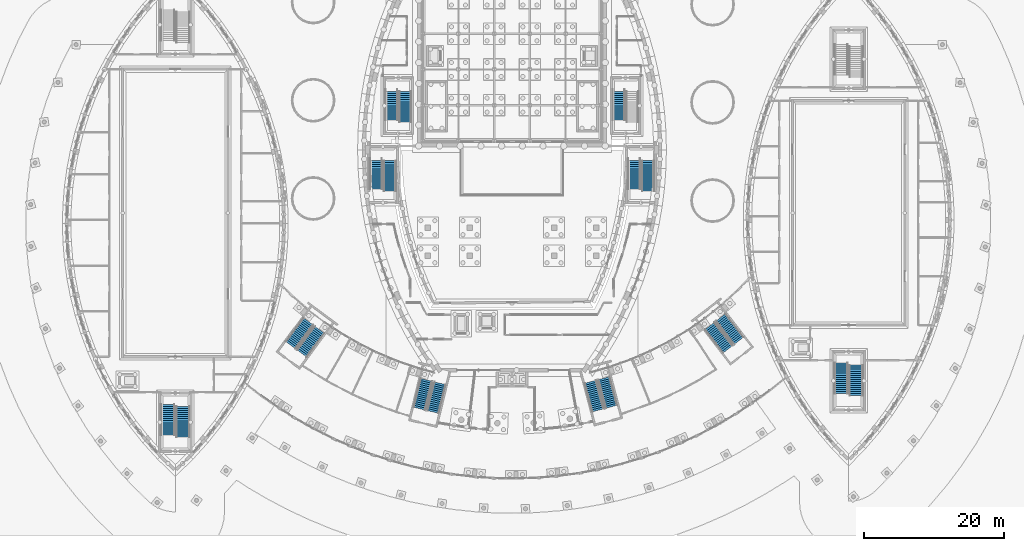
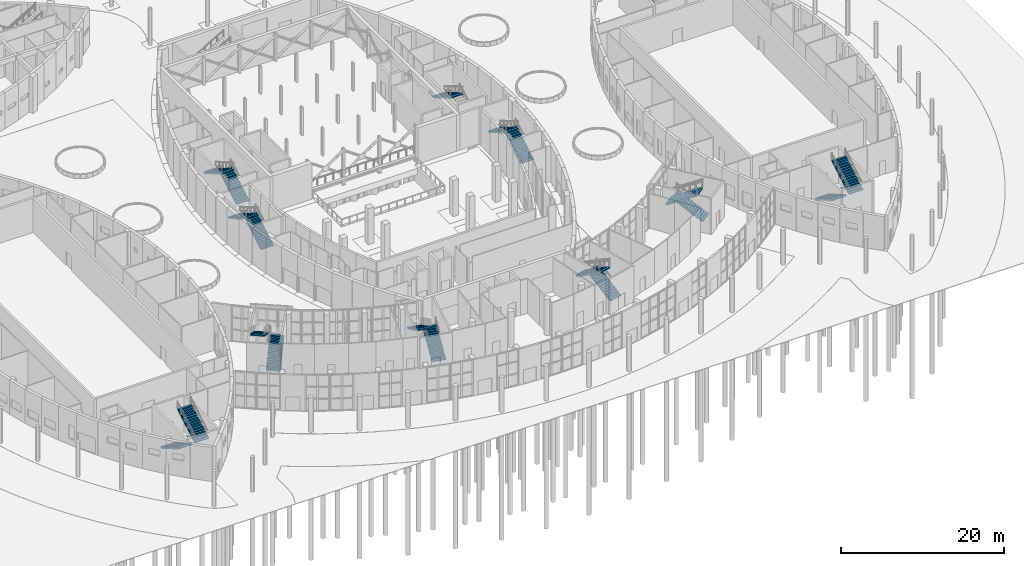
# One storey, part 69 of 82: 19 stair flights, 10 elements without a shape of their own.
"""IFC4 building model written with IfcOpenShell, lengths in metres."""

from ifc_helpers import new_model, si_unit, direction, frame, origin, place, context, subcontext, project, spatial, polyline, outline, extrude, material, type_object, element, aggregate, save


model = new_model("IFC4")

# Units and contexts
model_context = context("Model", 3, precision=1e-05, world=origin(), true_north=direction((0.0, 1.0)))
body_context = subcontext(model_context, "Body", "Model", "MODEL_VIEW")
ifc_project = project(units=[si_unit("LENGTHUNIT", "METRE"), si_unit("AREAUNIT", "SQUARE_METRE"), si_unit("VOLUMEUNIT", "CUBIC_METRE"), si_unit("PLANEANGLEUNIT", "RADIAN"), si_unit("MASSUNIT", "GRAM", prefix="KILO")], contexts=[model_context])

# Site, building, storey
site_placement = place(None, origin())
site = spatial("IfcSite", under=ifc_project, at=site_placement, CompositionType="ELEMENT")
building_placement = place(site_placement, origin())
building = spatial("IfcBuilding", under=site, at=building_placement, Name="Tide Square Theatres", CompositionType="ELEMENT")
storey_placement = place(building_placement, origin())
storey = spatial("IfcBuildingStorey", under=building, at=storey_placement, Name="L00", CompositionType="ELEMENT", Elevation=0.0)

# Stair, stair flights
ifc_material_1 = material(Name="Concrete C35", Category="concrete")
stair_type_1 = type_object("IfcStairType", Name="Stair half turn 1800 wide, 32 risers, rise 5400", PredefinedType="HALF_TURN_STAIR", material=ifc_material_1)
stair_1_placement = place(storey_placement, origin())
stair_1 = element("IfcStair", 1, at=stair_1_placement, inside=storey, type_object=stair_type_1, Name="Main Theatre West Stair", PredefinedType="HALF_TURN_STAIR")
ifc_material_2 = material(Name="Concrete C35", Category="concrete")
stair_flight_type_1 = type_object("IfcStairFlightType", Name="Flight 1800 wide 16 risers rise 5400", PredefinedType="STRAIGHT", material=ifc_material_2)
stair_flight_1_placement = place(storey_placement, frame((68.800048828125, 58.949951171875, 0.0), z_axis=(0.0, 0.0, 1.0), x_axis=(0.0, 1.0, 0.0)))
stair_flight_1 = element("IfcStairFlight", 2, at=stair_flight_1_placement, type_object=stair_flight_type_1, Name="ST-1800-5400 flight 1", NumberOfRisers=16, NumberOfTreads=15, PredefinedType="STRAIGHT", RiserHeight=0.16875, TreadLength=0.29, context=body_context, shape_type="SweptSolid", body=[
    extrude(outline(polyline([(0.0, 0.0), (0.0, 0.168701171875), (0.2900390625, 0.168701171875), (0.2900390625, 0.33740234375), (0.580078125, 0.33740234375), (0.580078125, 0.50634765625), (0.8701171875, 0.50634765625), (0.8701171875, 0.675048828125), (1.159912109375, 0.675048828125), (1.159912109375, 0.84375), (1.449951171875, 0.84375), (1.449951171875, 1.012451171875), (1.739990234375, 1.012451171875), (1.739990234375, 1.18115234375), (2.030029296875, 1.18115234375), (2.030029296875, 1.35009765625), (2.320068359375, 1.35009765625), (2.320068359375, 1.518798828125), (2.610107421875, 1.518798828125), (2.610107421875, 1.6875), (2.89990234375, 1.6875), (2.89990234375, 1.856201171875), (3.18994140625, 1.856201171875), (3.18994140625, 2.02490234375), (3.47998046875, 2.02490234375), (3.47998046875, 2.19384765625), (3.77001953125, 2.19384765625), (3.77001953125, 2.362548828125), (4.06005859375, 2.362548828125), (4.06005859375, 2.53125), (4.35009765625, 2.53125), (4.35009765625, 2.699951171875), (4.35009765625, 2.35791015625), (0.298095703125, 0.0), (0.0, 0.0)])), frame((0.0, 0.89990234375, 0.0), z_axis=(0.0, -1.0, 0.0), x_axis=(1.0, 0.0, 0.0)), (0.0, 0.0, 1.0), 1.800048828125),
])
stair_flight_2_placement = place(storey_placement, frame((66.800048828125, 63.59814453125, 2.699951171875), z_axis=(0.0, 0.0, 1.0), x_axis=(0.0, -1.0, 0.0)))
stair_flight_2 = element("IfcStairFlight", 3, at=stair_flight_2_placement, type_object=stair_flight_type_1, Name="ST-1800-5400 flight 2", NumberOfRisers=16, NumberOfTreads=15, PredefinedType="STRAIGHT", RiserHeight=0.16875, TreadLength=0.29, context=body_context, shape_type="SweptSolid", body=[
    extrude(outline(polyline([(0.0, 0.0), (0.0, 0.168701171875), (0.2900390625, 0.168701171875), (0.2900390625, 0.33740234375), (0.580078125, 0.33740234375), (0.580078125, 0.50634765625), (0.8701171875, 0.50634765625), (0.8701171875, 0.675048828125), (1.159912109375, 0.675048828125), (1.159912109375, 0.84375), (1.449951171875, 0.84375), (1.449951171875, 1.012451171875), (1.739990234375, 1.012451171875), (1.739990234375, 1.18115234375), (2.030029296875, 1.18115234375), (2.030029296875, 1.35009765625), (2.320068359375, 1.35009765625), (2.320068359375, 1.518798828125), (2.610107421875, 1.518798828125), (2.610107421875, 1.6875), (2.89990234375, 1.6875), (2.89990234375, 1.856201171875), (3.18994140625, 1.856201171875), (3.18994140625, 2.02490234375), (3.47998046875, 2.02490234375), (3.47998046875, 2.19384765625), (3.77001953125, 2.19384765625), (3.77001953125, 2.362548828125), (4.06005859375, 2.362548828125), (4.06005859375, 2.53125), (4.35009765625, 2.53125), (4.35009765625, 2.699951171875), (4.35009765625, 2.35791015625), (0.298095703125, 0.0), (0.0, 0.0)])), frame((0.0, 0.89990234375, 0.0), z_axis=(0.0, -1.0, 0.0), x_axis=(1.0, 0.0, 0.0)), (0.0, 0.0, 1.0), 1.800048828125),
])
aggregate(stair_1, [stair_flight_1, stair_flight_2])

# Stair, stair flight
stair_2_placement = place(storey_placement, origin())
stair_2 = element("IfcStair", 4, at=stair_2_placement, inside=storey, type_object=stair_type_1, Name="Main Theatre East Stair", PredefinedType="HALF_TURN_STAIR")
stair_flight_3_placement = place(storey_placement, frame((99.199951171875, 63.59814453125, 2.699951171875), z_axis=(0.0, 0.0, 1.0), x_axis=(0.0, -1.0, 0.0)))
stair_flight_3 = element("IfcStairFlight", 5, at=stair_flight_3_placement, type_object=stair_flight_type_1, Name="ST-1800-5400 flight 2", NumberOfRisers=16, NumberOfTreads=15, PredefinedType="STRAIGHT", RiserHeight=0.16875, TreadLength=0.29, context=body_context, shape_type="SweptSolid", body=[
    extrude(outline(polyline([(0.0, 0.0), (0.0, 0.168701171875), (0.2900390625, 0.168701171875), (0.2900390625, 0.33740234375), (0.580078125, 0.33740234375), (0.580078125, 0.50634765625), (0.8701171875, 0.50634765625), (0.8701171875, 0.675048828125), (1.159912109375, 0.675048828125), (1.159912109375, 0.84375), (1.449951171875, 0.84375), (1.449951171875, 1.012451171875), (1.739990234375, 1.012451171875), (1.739990234375, 1.18115234375), (2.030029296875, 1.18115234375), (2.030029296875, 1.35009765625), (2.320068359375, 1.35009765625), (2.320068359375, 1.518798828125), (2.610107421875, 1.518798828125), (2.610107421875, 1.6875), (2.89990234375, 1.6875), (2.89990234375, 1.856201171875), (3.18994140625, 1.856201171875), (3.18994140625, 2.02490234375), (3.47998046875, 2.02490234375), (3.47998046875, 2.19384765625), (3.77001953125, 2.19384765625), (3.77001953125, 2.362548828125), (4.06005859375, 2.362548828125), (4.06005859375, 2.53125), (4.35009765625, 2.53125), (4.35009765625, 2.699951171875), (4.35009765625, 2.35791015625), (0.298095703125, 0.0), (0.0, 0.0)])), frame((0.0, 0.89990234375, 0.0), z_axis=(0.0, -1.0, 0.0), x_axis=(1.0, 0.0, 0.0)), (0.0, 0.0, 1.0), 1.800048828125),
])
aggregate(stair_2, [stair_flight_3])

# Stair, stair flights
stair_3_placement = place(storey_placement, origin())
stair_3 = element("IfcStair", 6, at=stair_3_placement, inside=storey, type_object=stair_type_1, Name="Main Theatre West Circle Stair", PredefinedType="HALF_TURN_STAIR")
stair_flight_4_placement = place(storey_placement, frame((66.60009765625, 49.10009765625, 0.0), z_axis=(0.0, 0.0, 1.0), x_axis=(0.0, 1.0, 0.0)))
stair_flight_4 = element("IfcStairFlight", 7, at=stair_flight_4_placement, type_object=stair_flight_type_1, Name="ST-1800-5400 flight 1", NumberOfRisers=16, NumberOfTreads=15, PredefinedType="STRAIGHT", RiserHeight=0.16875, TreadLength=0.29, context=body_context, shape_type="SweptSolid", body=[
    extrude(outline(polyline([(0.0, 0.0), (0.0, 0.168701171875), (0.2900390625, 0.168701171875), (0.2900390625, 0.33740234375), (0.580078125, 0.33740234375), (0.580078125, 0.50634765625), (0.8701171875, 0.50634765625), (0.8701171875, 0.675048828125), (1.159912109375, 0.675048828125), (1.159912109375, 0.84375), (1.449951171875, 0.84375), (1.449951171875, 1.012451171875), (1.739990234375, 1.012451171875), (1.739990234375, 1.18115234375), (2.030029296875, 1.18115234375), (2.030029296875, 1.35009765625), (2.320068359375, 1.35009765625), (2.320068359375, 1.518798828125), (2.610107421875, 1.518798828125), (2.610107421875, 1.6875), (2.89990234375, 1.6875), (2.89990234375, 1.856201171875), (3.18994140625, 1.856201171875), (3.18994140625, 2.02490234375), (3.47998046875, 2.02490234375), (3.47998046875, 2.19384765625), (3.77001953125, 2.19384765625), (3.77001953125, 2.362548828125), (4.06005859375, 2.362548828125), (4.06005859375, 2.53125), (4.35009765625, 2.53125), (4.35009765625, 2.699951171875), (4.35009765625, 2.35791015625), (0.298095703125, 0.0), (0.0, 0.0)])), frame((0.0, 0.89990234375, 0.0), z_axis=(0.0, -1.0, 0.0), x_axis=(1.0, 0.0, 0.0)), (0.0, 0.0, 1.0), 1.800048828125),
])
stair_flight_5_placement = place(storey_placement, frame((64.60009765625, 53.748291015625, 2.699951171875), z_axis=(0.0, 0.0, 1.0), x_axis=(0.0, -1.0, 0.0)))
stair_flight_5 = element("IfcStairFlight", 8, at=stair_flight_5_placement, type_object=stair_flight_type_1, Name="ST-1800-5400 flight 2", NumberOfRisers=16, NumberOfTreads=15, PredefinedType="STRAIGHT", RiserHeight=0.16875, TreadLength=0.29, context=body_context, shape_type="SweptSolid", body=[
    extrude(outline(polyline([(0.0, 0.0), (0.0, 0.168701171875), (0.2900390625, 0.168701171875), (0.2900390625, 0.33740234375), (0.580078125, 0.33740234375), (0.580078125, 0.50634765625), (0.8701171875, 0.50634765625), (0.8701171875, 0.675048828125), (1.159912109375, 0.675048828125), (1.159912109375, 0.84375), (1.449951171875, 0.84375), (1.449951171875, 1.012451171875), (1.739990234375, 1.012451171875), (1.739990234375, 1.18115234375), (2.030029296875, 1.18115234375), (2.030029296875, 1.35009765625), (2.320068359375, 1.35009765625), (2.320068359375, 1.518798828125), (2.610107421875, 1.518798828125), (2.610107421875, 1.6875), (2.89990234375, 1.6875), (2.89990234375, 1.856201171875), (3.18994140625, 1.856201171875), (3.18994140625, 2.02490234375), (3.47998046875, 2.02490234375), (3.47998046875, 2.19384765625), (3.77001953125, 2.19384765625), (3.77001953125, 2.362548828125), (4.06005859375, 2.362548828125), (4.06005859375, 2.53125), (4.35009765625, 2.53125), (4.35009765625, 2.699951171875), (4.35009765625, 2.35791015625), (0.298095703125, 0.0), (0.0, 0.0)])), frame((0.0, 0.89990234375, 0.0), z_axis=(0.0, -1.0, 0.0), x_axis=(1.0, 0.0, 0.0)), (0.0, 0.0, 1.0), 1.800048828125),
])
aggregate(stair_3, [stair_flight_4, stair_flight_5])

stair_4_placement = place(storey_placement, origin())
stair_4 = element("IfcStair", 9, at=stair_4_placement, inside=storey, type_object=stair_type_1, Name="Main Theatre East Circle Stair", PredefinedType="HALF_TURN_STAIR")
stair_flight_6_placement = place(storey_placement, frame((103.39990234375, 49.10009765625, 0.0), z_axis=(0.0, 0.0, 1.0), x_axis=(0.0, 1.0, 0.0)))
stair_flight_6 = element("IfcStairFlight", 10, at=stair_flight_6_placement, type_object=stair_flight_type_1, Name="ST-1800-5400 flight 1", NumberOfRisers=16, NumberOfTreads=15, PredefinedType="STRAIGHT", RiserHeight=0.16875, TreadLength=0.29, context=body_context, shape_type="SweptSolid", body=[
    extrude(outline(polyline([(0.0, 0.0), (0.0, 0.168701171875), (0.2900390625, 0.168701171875), (0.2900390625, 0.33740234375), (0.580078125, 0.33740234375), (0.580078125, 0.50634765625), (0.8701171875, 0.50634765625), (0.8701171875, 0.675048828125), (1.159912109375, 0.675048828125), (1.159912109375, 0.84375), (1.449951171875, 0.84375), (1.449951171875, 1.012451171875), (1.739990234375, 1.012451171875), (1.739990234375, 1.18115234375), (2.030029296875, 1.18115234375), (2.030029296875, 1.35009765625), (2.320068359375, 1.35009765625), (2.320068359375, 1.518798828125), (2.610107421875, 1.518798828125), (2.610107421875, 1.6875), (2.89990234375, 1.6875), (2.89990234375, 1.856201171875), (3.18994140625, 1.856201171875), (3.18994140625, 2.02490234375), (3.47998046875, 2.02490234375), (3.47998046875, 2.19384765625), (3.77001953125, 2.19384765625), (3.77001953125, 2.362548828125), (4.06005859375, 2.362548828125), (4.06005859375, 2.53125), (4.35009765625, 2.53125), (4.35009765625, 2.699951171875), (4.35009765625, 2.35791015625), (0.298095703125, 0.0), (0.0, 0.0)])), frame((0.0, 0.89990234375, 0.0), z_axis=(0.0, -1.0, 0.0), x_axis=(1.0, 0.0, 0.0)), (0.0, 0.0, 1.0), 1.800048828125),
])
stair_flight_7_placement = place(storey_placement, frame((101.39990234375, 53.748291015625, 2.699951171875), z_axis=(0.0, 0.0, 1.0), x_axis=(0.0, -1.0, 0.0)))
stair_flight_7 = element("IfcStairFlight", 11, at=stair_flight_7_placement, type_object=stair_flight_type_1, Name="ST-1800-5400 flight 2", NumberOfRisers=16, NumberOfTreads=15, PredefinedType="STRAIGHT", RiserHeight=0.16875, TreadLength=0.29, context=body_context, shape_type="SweptSolid", body=[
    extrude(outline(polyline([(0.0, 0.0), (0.0, 0.168701171875), (0.2900390625, 0.168701171875), (0.2900390625, 0.33740234375), (0.580078125, 0.33740234375), (0.580078125, 0.50634765625), (0.8701171875, 0.50634765625), (0.8701171875, 0.675048828125), (1.159912109375, 0.675048828125), (1.159912109375, 0.84375), (1.449951171875, 0.84375), (1.449951171875, 1.012451171875), (1.739990234375, 1.012451171875), (1.739990234375, 1.18115234375), (2.030029296875, 1.18115234375), (2.030029296875, 1.35009765625), (2.320068359375, 1.35009765625), (2.320068359375, 1.518798828125), (2.610107421875, 1.518798828125), (2.610107421875, 1.6875), (2.89990234375, 1.6875), (2.89990234375, 1.856201171875), (3.18994140625, 1.856201171875), (3.18994140625, 2.02490234375), (3.47998046875, 2.02490234375), (3.47998046875, 2.19384765625), (3.77001953125, 2.19384765625), (3.77001953125, 2.362548828125), (4.06005859375, 2.362548828125), (4.06005859375, 2.53125), (4.35009765625, 2.53125), (4.35009765625, 2.699951171875), (4.35009765625, 2.35791015625), (0.298095703125, 0.0), (0.0, 0.0)])), frame((0.0, 0.89990234375, 0.0), z_axis=(0.0, -1.0, 0.0), x_axis=(1.0, 0.0, 0.0)), (0.0, 0.0, 1.0), 1.800048828125),
])
aggregate(stair_4, [stair_flight_6, stair_flight_7])

ifc_material_3 = material(Name="Concrete C35", Category="concrete")
stair_type_2 = type_object("IfcStairType", Name="Stair half turn 2000 wide, 32 risers, rise 5400", PredefinedType="HALF_TURN_STAIR", material=ifc_material_3)
stair_5_placement = place(storey_placement, origin())
stair_5 = element("IfcStair", 12, at=stair_5_placement, inside=storey, type_object=stair_type_2, Name="Studio Theatre Stair S2", PredefinedType="HALF_TURN_STAIR")
ifc_material_4 = material(Name="Concrete C35", Category="concrete")
stair_flight_type_2 = type_object("IfcStairFlightType", Name="Flight 2000 wide 16 risers rise 5400", PredefinedType="STRAIGHT", material=ifc_material_4)
stair_flight_8_placement = place(storey_placement, frame((34.89990234375, 18.699951171875, 0.0), z_axis=(0.0, 0.0, 1.0), x_axis=(0.0, -1.0, 0.0)))
stair_flight_8 = element("IfcStairFlight", 13, at=stair_flight_8_placement, type_object=stair_flight_type_2, Name="ST-2000-5400 flight 1", NumberOfRisers=16, NumberOfTreads=15, PredefinedType="STRAIGHT", RiserHeight=0.16875, TreadLength=0.29, context=body_context, shape_type="SweptSolid", body=[
    extrude(outline(polyline([(0.0, 0.0), (0.0, 0.168701171875), (0.2900390625, 0.168701171875), (0.2900390625, 0.33740234375), (0.580078125, 0.33740234375), (0.580078125, 0.50634765625), (0.8701171875, 0.50634765625), (0.8701171875, 0.675048828125), (1.159912109375, 0.675048828125), (1.159912109375, 0.84375), (1.449951171875, 0.84375), (1.449951171875, 1.012451171875), (1.739990234375, 1.012451171875), (1.739990234375, 1.18115234375), (2.030029296875, 1.18115234375), (2.030029296875, 1.35009765625), (2.320068359375, 1.35009765625), (2.320068359375, 1.518798828125), (2.610107421875, 1.518798828125), (2.610107421875, 1.6875), (2.89990234375, 1.6875), (2.89990234375, 1.856201171875), (3.18994140625, 1.856201171875), (3.18994140625, 2.02490234375), (3.47998046875, 2.02490234375), (3.47998046875, 2.19384765625), (3.77001953125, 2.19384765625), (3.77001953125, 2.362548828125), (4.06005859375, 2.362548828125), (4.06005859375, 2.53125), (4.35009765625, 2.53125), (4.35009765625, 2.699951171875), (4.35009765625, 2.35791015625), (0.298095703125, 0.0), (0.0, 0.0)])), frame((0.0, 1.0, 0.0), z_axis=(0.0, -1.0, 0.0), x_axis=(1.0, 0.0, 0.0)), (0.0, 0.0, 1.0), 2.0),
])
stair_flight_9_placement = place(storey_placement, frame((37.10009765625, 14.0517578125, 2.699951171875), z_axis=(0.0, 0.0, 1.0), x_axis=(0.0, 1.0, 0.0)))
stair_flight_9 = element("IfcStairFlight", 14, at=stair_flight_9_placement, type_object=stair_flight_type_2, Name="ST-2000-5400 flight 2", NumberOfRisers=16, NumberOfTreads=15, PredefinedType="STRAIGHT", RiserHeight=0.16875, TreadLength=0.29, context=body_context, shape_type="SweptSolid", body=[
    extrude(outline(polyline([(0.0, 0.0), (0.0, 0.168701171875), (0.2900390625, 0.168701171875), (0.2900390625, 0.33740234375), (0.580078125, 0.33740234375), (0.580078125, 0.50634765625), (0.8701171875, 0.50634765625), (0.8701171875, 0.675048828125), (1.159912109375, 0.675048828125), (1.159912109375, 0.84375), (1.449951171875, 0.84375), (1.449951171875, 1.012451171875), (1.739990234375, 1.012451171875), (1.739990234375, 1.18115234375), (2.030029296875, 1.18115234375), (2.030029296875, 1.35009765625), (2.320068359375, 1.35009765625), (2.320068359375, 1.518798828125), (2.610107421875, 1.518798828125), (2.610107421875, 1.6875), (2.89990234375, 1.6875), (2.89990234375, 1.856201171875), (3.18994140625, 1.856201171875), (3.18994140625, 2.02490234375), (3.47998046875, 2.02490234375), (3.47998046875, 2.19384765625), (3.77001953125, 2.19384765625), (3.77001953125, 2.362548828125), (4.06005859375, 2.362548828125), (4.06005859375, 2.53125), (4.35009765625, 2.53125), (4.35009765625, 2.699951171875), (4.35009765625, 2.35791015625), (0.298095703125, 0.0), (0.0, 0.0)])), frame((0.0, 1.0, 0.0), z_axis=(0.0, -1.0, 0.0), x_axis=(1.0, 0.0, 0.0)), (0.0, 0.0, 1.0), 2.0),
])
aggregate(stair_5, [stair_flight_8, stair_flight_9])

stair_6_placement = place(storey_placement, origin())
stair_6 = element("IfcStair", 15, at=stair_6_placement, inside=storey, type_object=stair_type_2, Name="Black Box Theatre Stair B2", PredefinedType="HALF_TURN_STAIR")
stair_flight_10_placement = place(storey_placement, frame((130.89990234375, 24.60009765625, 0.0), z_axis=(0.0, 0.0, 1.0), x_axis=(0.0, -1.0, 0.0)))
stair_flight_10 = element("IfcStairFlight", 16, at=stair_flight_10_placement, type_object=stair_flight_type_2, Name="ST-2000-5400 flight 1", NumberOfRisers=16, NumberOfTreads=15, PredefinedType="STRAIGHT", RiserHeight=0.16875, TreadLength=0.29, context=body_context, shape_type="SweptSolid", body=[
    extrude(outline(polyline([(0.0, 0.0), (0.0, 0.168701171875), (0.2900390625, 0.168701171875), (0.2900390625, 0.33740234375), (0.580078125, 0.33740234375), (0.580078125, 0.50634765625), (0.8701171875, 0.50634765625), (0.8701171875, 0.675048828125), (1.159912109375, 0.675048828125), (1.159912109375, 0.84375), (1.449951171875, 0.84375), (1.449951171875, 1.012451171875), (1.739990234375, 1.012451171875), (1.739990234375, 1.18115234375), (2.030029296875, 1.18115234375), (2.030029296875, 1.35009765625), (2.320068359375, 1.35009765625), (2.320068359375, 1.518798828125), (2.610107421875, 1.518798828125), (2.610107421875, 1.6875), (2.89990234375, 1.6875), (2.89990234375, 1.856201171875), (3.18994140625, 1.856201171875), (3.18994140625, 2.02490234375), (3.47998046875, 2.02490234375), (3.47998046875, 2.19384765625), (3.77001953125, 2.19384765625), (3.77001953125, 2.362548828125), (4.06005859375, 2.362548828125), (4.06005859375, 2.53125), (4.35009765625, 2.53125), (4.35009765625, 2.699951171875), (4.35009765625, 2.35791015625), (0.298095703125, 0.0), (0.0, 0.0)])), frame((0.0, 1.0, 0.0), z_axis=(0.0, -1.0, 0.0), x_axis=(1.0, 0.0, 0.0)), (0.0, 0.0, 1.0), 2.0),
])
stair_flight_11_placement = place(storey_placement, frame((133.10009765625, 19.951904296875, 2.699951171875), z_axis=(0.0, 0.0, 1.0), x_axis=(0.0, 1.0, 0.0)))
stair_flight_11 = element("IfcStairFlight", 17, at=stair_flight_11_placement, type_object=stair_flight_type_2, Name="ST-2000-5400 flight 2", NumberOfRisers=16, NumberOfTreads=15, PredefinedType="STRAIGHT", RiserHeight=0.16875, TreadLength=0.29, context=body_context, shape_type="SweptSolid", body=[
    extrude(outline(polyline([(0.0, 0.0), (0.0, 0.168701171875), (0.2900390625, 0.168701171875), (0.2900390625, 0.33740234375), (0.580078125, 0.33740234375), (0.580078125, 0.50634765625), (0.8701171875, 0.50634765625), (0.8701171875, 0.675048828125), (1.159912109375, 0.675048828125), (1.159912109375, 0.84375), (1.449951171875, 0.84375), (1.449951171875, 1.012451171875), (1.739990234375, 1.012451171875), (1.739990234375, 1.18115234375), (2.030029296875, 1.18115234375), (2.030029296875, 1.35009765625), (2.320068359375, 1.35009765625), (2.320068359375, 1.518798828125), (2.610107421875, 1.518798828125), (2.610107421875, 1.6875), (2.89990234375, 1.6875), (2.89990234375, 1.856201171875), (3.18994140625, 1.856201171875), (3.18994140625, 2.02490234375), (3.47998046875, 2.02490234375), (3.47998046875, 2.19384765625), (3.77001953125, 2.19384765625), (3.77001953125, 2.362548828125), (4.06005859375, 2.362548828125), (4.06005859375, 2.53125), (4.35009765625, 2.53125), (4.35009765625, 2.699951171875), (4.35009765625, 2.35791015625), (0.298095703125, 0.0), (0.0, 0.0)])), frame((0.0, 1.0, 0.0), z_axis=(0.0, -1.0, 0.0), x_axis=(1.0, 0.0, 0.0)), (0.0, 0.0, 1.0), 2.0),
])
aggregate(stair_6, [stair_flight_10, stair_flight_11])

ifc_material_5 = material(Name="Concrete C35", Category="concrete")
stair_type_3 = type_object("IfcStairType", Name="Foyer exit stair half turn 1200 wide", PredefinedType="HALF_TURN_STAIR", material=ifc_material_5)
stair_7_placement = place(storey_placement, origin())
stair_7 = element("IfcStair", 18, at=stair_7_placement, inside=storey, type_object=stair_type_3, Name="L00 Exit stair F1", PredefinedType="HALF_TURN_STAIR")
ifc_material_6 = material(Name="Concrete C35", Category="concrete")
stair_flight_type_3 = type_object("IfcStairFlightType", Name="Foyer exit flight 1200 wide 16 risers", PredefinedType="STRAIGHT", material=ifc_material_6)
stair_flight_12_placement = place(storey_placement, frame((54.0361328125, 25.97998046875, 0.0), z_axis=(0.0, 0.0, 1.0), x_axis=(0.595869364986, 0.803081378112, 0.0)))
stair_flight_12 = element("IfcStairFlight", 19, at=stair_flight_12_placement, type_object=stair_flight_type_3, Name="F1 flight 1", NumberOfRisers=16, NumberOfTreads=15, PredefinedType="STRAIGHT", RiserHeight=0.16875, TreadLength=0.28, context=body_context, shape_type="SweptSolid", body=[
    extrude(outline(polyline([(0.0, 0.0), (0.0, 0.168701171875), (0.280029296875, 0.168701171875), (0.280029296875, 0.33740234375), (0.56005859375, 0.33740234375), (0.56005859375, 0.50634765625), (0.840087890625, 0.50634765625), (0.840087890625, 0.675048828125), (1.1201171875, 0.675048828125), (1.1201171875, 0.84375), (1.39990234375, 0.84375), (1.39990234375, 1.012451171875), (1.679931640625, 1.012451171875), (1.679931640625, 1.18115234375), (1.9599609375, 1.18115234375), (1.9599609375, 1.35009765625), (2.239990234375, 1.35009765625), (2.239990234375, 1.518798828125), (2.52001953125, 1.518798828125), (2.52001953125, 1.6875), (2.800048828125, 1.6875), (2.800048828125, 1.856201171875), (3.080078125, 1.856201171875), (3.080078125, 2.02490234375), (3.360107421875, 2.02490234375), (3.360107421875, 2.19384765625), (3.639892578125, 2.19384765625), (3.639892578125, 2.362548828125), (3.919921875, 2.362548828125), (3.919921875, 2.53125), (4.199951171875, 2.53125), (4.199951171875, 2.699951171875), (4.199951171875, 2.356201171875), (0.29052734375, 0.0), (0.0, 0.0)])), frame((0.0, 0.89990234375, 0.0), z_axis=(0.0, -1.0, 0.0), x_axis=(1.0, 0.0, 0.0)), (0.0, 0.0, 1.0), 1.800048828125),
])
stair_flight_13_placement = place(storey_placement, frame((54.972900390625, 30.514892578125, 2.699951171875), z_axis=(0.0, 0.0, 1.0), x_axis=(-0.595869364986, -0.803081378112, 0.0)))
stair_flight_13 = element("IfcStairFlight", 20, at=stair_flight_13_placement, type_object=stair_flight_type_3, Name="F1 flight 2", NumberOfRisers=16, NumberOfTreads=15, PredefinedType="STRAIGHT", RiserHeight=0.16875, TreadLength=0.28, context=body_context, shape_type="SweptSolid", body=[
    extrude(outline(polyline([(0.0, 0.0), (0.0, 0.168701171875), (0.280029296875, 0.168701171875), (0.280029296875, 0.33740234375), (0.56005859375, 0.33740234375), (0.56005859375, 0.50634765625), (0.840087890625, 0.50634765625), (0.840087890625, 0.675048828125), (1.1201171875, 0.675048828125), (1.1201171875, 0.84375), (1.39990234375, 0.84375), (1.39990234375, 1.012451171875), (1.679931640625, 1.012451171875), (1.679931640625, 1.18115234375), (1.9599609375, 1.18115234375), (1.9599609375, 1.35009765625), (2.239990234375, 1.35009765625), (2.239990234375, 1.518798828125), (2.52001953125, 1.518798828125), (2.52001953125, 1.6875), (2.800048828125, 1.6875), (2.800048828125, 1.856201171875), (3.080078125, 1.856201171875), (3.080078125, 2.02490234375), (3.360107421875, 2.02490234375), (3.360107421875, 2.19384765625), (3.639892578125, 2.19384765625), (3.639892578125, 2.362548828125), (3.919921875, 2.362548828125), (3.919921875, 2.53125), (4.199951171875, 2.53125), (4.199951171875, 2.699951171875), (4.199951171875, 2.356201171875), (0.29052734375, 0.0), (0.0, 0.0)])), frame((0.0, 0.89990234375, 0.0), z_axis=(0.0, -1.0, 0.0), x_axis=(1.0, 0.0, 0.0)), (0.0, 0.0, 1.0), 1.800048828125),
])
aggregate(stair_7, [stair_flight_12, stair_flight_13])

stair_8_placement = place(storey_placement, origin())
stair_8 = element("IfcStair", 21, at=stair_8_placement, inside=storey, type_object=stair_type_3, Name="L00 Exit stair F2", PredefinedType="HALF_TURN_STAIR")
stair_flight_14_placement = place(storey_placement, frame((116.331298828125, 27.773193359375, 0.0), z_axis=(0.0, 0.0, 1.0), x_axis=(-0.611627526663, 0.791145857998, 0.0)))
stair_flight_14 = element("IfcStairFlight", 22, at=stair_flight_14_placement, type_object=stair_flight_type_3, Name="F2 flight 1", NumberOfRisers=16, NumberOfTreads=15, PredefinedType="STRAIGHT", RiserHeight=0.16875, TreadLength=0.28, context=body_context, shape_type="SweptSolid", body=[
    extrude(outline(polyline([(0.0, 0.0), (0.0, 0.168701171875), (0.280029296875, 0.168701171875), (0.280029296875, 0.33740234375), (0.56005859375, 0.33740234375), (0.56005859375, 0.50634765625), (0.840087890625, 0.50634765625), (0.840087890625, 0.675048828125), (1.1201171875, 0.675048828125), (1.1201171875, 0.84375), (1.39990234375, 0.84375), (1.39990234375, 1.012451171875), (1.679931640625, 1.012451171875), (1.679931640625, 1.18115234375), (1.9599609375, 1.18115234375), (1.9599609375, 1.35009765625), (2.239990234375, 1.35009765625), (2.239990234375, 1.518798828125), (2.52001953125, 1.518798828125), (2.52001953125, 1.6875), (2.800048828125, 1.6875), (2.800048828125, 1.856201171875), (3.080078125, 1.856201171875), (3.080078125, 2.02490234375), (3.360107421875, 2.02490234375), (3.360107421875, 2.19384765625), (3.639892578125, 2.19384765625), (3.639892578125, 2.362548828125), (3.919921875, 2.362548828125), (3.919921875, 2.53125), (4.199951171875, 2.53125), (4.199951171875, 2.699951171875), (4.199951171875, 2.356201171875), (0.29052734375, 0.0), (0.0, 0.0)])), frame((0.0, 0.89990234375, 0.0), z_axis=(0.0, -1.0, 0.0), x_axis=(1.0, 0.0, 0.0)), (0.0, 0.0, 1.0), 1.800048828125),
])
stair_flight_15_placement = place(storey_placement, frame((112.2197265625, 29.9033203125, 2.699951171875), z_axis=(0.0, 0.0, 1.0), x_axis=(0.611627526663, -0.791145857998, 0.0)))
stair_flight_15 = element("IfcStairFlight", 23, at=stair_flight_15_placement, type_object=stair_flight_type_3, Name="F2 flight 2", NumberOfRisers=16, NumberOfTreads=15, PredefinedType="STRAIGHT", RiserHeight=0.16875, TreadLength=0.28, context=body_context, shape_type="SweptSolid", body=[
    extrude(outline(polyline([(0.0, 0.0), (0.0, 0.168701171875), (0.280029296875, 0.168701171875), (0.280029296875, 0.33740234375), (0.56005859375, 0.33740234375), (0.56005859375, 0.50634765625), (0.840087890625, 0.50634765625), (0.840087890625, 0.675048828125), (1.1201171875, 0.675048828125), (1.1201171875, 0.84375), (1.39990234375, 0.84375), (1.39990234375, 1.012451171875), (1.679931640625, 1.012451171875), (1.679931640625, 1.18115234375), (1.9599609375, 1.18115234375), (1.9599609375, 1.35009765625), (2.239990234375, 1.35009765625), (2.239990234375, 1.518798828125), (2.52001953125, 1.518798828125), (2.52001953125, 1.6875), (2.800048828125, 1.6875), (2.800048828125, 1.856201171875), (3.080078125, 1.856201171875), (3.080078125, 2.02490234375), (3.360107421875, 2.02490234375), (3.360107421875, 2.19384765625), (3.639892578125, 2.19384765625), (3.639892578125, 2.362548828125), (3.919921875, 2.362548828125), (3.919921875, 2.53125), (4.199951171875, 2.53125), (4.199951171875, 2.699951171875), (4.199951171875, 2.356201171875), (0.29052734375, 0.0), (0.0, 0.0)])), frame((0.0, 0.89990234375, 0.0), z_axis=(0.0, -1.0, 0.0), x_axis=(1.0, 0.0, 0.0)), (0.0, 0.0, 1.0), 1.800048828125),
])
aggregate(stair_8, [stair_flight_14, stair_flight_15])

stair_9_placement = place(storey_placement, origin())
stair_9 = element("IfcStair", 24, at=stair_9_placement, inside=storey, type_object=stair_type_3, Name="L00 Exit stair F3", PredefinedType="HALF_TURN_STAIR")
stair_flight_16_placement = place(storey_placement, frame((72.7099609375, 17.640869140625, 0.0), z_axis=(0.0, 0.0, 1.0), x_axis=(0.2371545461, 0.971471935397, 0.0)))
stair_flight_16 = element("IfcStairFlight", 25, at=stair_flight_16_placement, type_object=stair_flight_type_3, Name="F3 flight 1", NumberOfRisers=16, NumberOfTreads=15, PredefinedType="STRAIGHT", RiserHeight=0.16875, TreadLength=0.28, context=body_context, shape_type="SweptSolid", body=[
    extrude(outline(polyline([(0.0, 0.0), (0.0, 0.168701171875), (0.280029296875, 0.168701171875), (0.280029296875, 0.33740234375), (0.56005859375, 0.33740234375), (0.56005859375, 0.50634765625), (0.840087890625, 0.50634765625), (0.840087890625, 0.675048828125), (1.1201171875, 0.675048828125), (1.1201171875, 0.84375), (1.39990234375, 0.84375), (1.39990234375, 1.012451171875), (1.679931640625, 1.012451171875), (1.679931640625, 1.18115234375), (1.9599609375, 1.18115234375), (1.9599609375, 1.35009765625), (2.239990234375, 1.35009765625), (2.239990234375, 1.518798828125), (2.52001953125, 1.518798828125), (2.52001953125, 1.6875), (2.800048828125, 1.6875), (2.800048828125, 1.856201171875), (3.080078125, 1.856201171875), (3.080078125, 2.02490234375), (3.360107421875, 2.02490234375), (3.360107421875, 2.19384765625), (3.639892578125, 2.19384765625), (3.639892578125, 2.362548828125), (3.919921875, 2.362548828125), (3.919921875, 2.53125), (4.199951171875, 2.53125), (4.199951171875, 2.699951171875), (4.199951171875, 2.356201171875), (0.29052734375, 0.0), (0.0, 0.0)])), frame((0.0, 0.89990234375, 0.0), z_axis=(0.0, -1.0, 0.0), x_axis=(1.0, 0.0, 0.0)), (0.0, 0.0, 1.0), 1.800048828125),
])
stair_flight_17_placement = place(storey_placement, frame((71.811767578125, 22.183349609375, 2.699951171875), z_axis=(0.0, 0.0, 1.0), x_axis=(-0.2371545461, -0.971471935397, 0.0)))
stair_flight_17 = element("IfcStairFlight", 26, at=stair_flight_17_placement, type_object=stair_flight_type_3, Name="F3 flight 2", NumberOfRisers=16, NumberOfTreads=15, PredefinedType="STRAIGHT", RiserHeight=0.16875, TreadLength=0.28, context=body_context, shape_type="SweptSolid", body=[
    extrude(outline(polyline([(0.0, 0.0), (0.0, 0.168701171875), (0.280029296875, 0.168701171875), (0.280029296875, 0.33740234375), (0.56005859375, 0.33740234375), (0.56005859375, 0.50634765625), (0.840087890625, 0.50634765625), (0.840087890625, 0.675048828125), (1.1201171875, 0.675048828125), (1.1201171875, 0.84375), (1.39990234375, 0.84375), (1.39990234375, 1.012451171875), (1.679931640625, 1.012451171875), (1.679931640625, 1.18115234375), (1.9599609375, 1.18115234375), (1.9599609375, 1.35009765625), (2.239990234375, 1.35009765625), (2.239990234375, 1.518798828125), (2.52001953125, 1.518798828125), (2.52001953125, 1.6875), (2.800048828125, 1.6875), (2.800048828125, 1.856201171875), (3.080078125, 1.856201171875), (3.080078125, 2.02490234375), (3.360107421875, 2.02490234375), (3.360107421875, 2.19384765625), (3.639892578125, 2.19384765625), (3.639892578125, 2.362548828125), (3.919921875, 2.362548828125), (3.919921875, 2.53125), (4.199951171875, 2.53125), (4.199951171875, 2.699951171875), (4.199951171875, 2.356201171875), (0.29052734375, 0.0), (0.0, 0.0)])), frame((0.0, 0.89990234375, 0.0), z_axis=(0.0, -1.0, 0.0), x_axis=(1.0, 0.0, 0.0)), (0.0, 0.0, 1.0), 1.800048828125),
])
aggregate(stair_9, [stair_flight_16, stair_flight_17])

stair_10_placement = place(storey_placement, origin())
stair_10 = element("IfcStair", 27, at=stair_10_placement, inside=storey, type_object=stair_type_3, Name="L00 Exit stair F4", PredefinedType="HALF_TURN_STAIR")
stair_flight_18_placement = place(storey_placement, frame((98.168212890625, 18.37353515625, 0.0), z_axis=(0.0, 0.0, 1.0), x_axis=(-0.256311388879, 0.966594264379, 0.0)))
stair_flight_18 = element("IfcStairFlight", 28, at=stair_flight_18_placement, type_object=stair_flight_type_3, Name="F4 flight 1", NumberOfRisers=16, NumberOfTreads=15, PredefinedType="STRAIGHT", RiserHeight=0.16875, TreadLength=0.28, context=body_context, shape_type="SweptSolid", body=[
    extrude(outline(polyline([(0.0, 0.0), (0.0, 0.168701171875), (0.280029296875, 0.168701171875), (0.280029296875, 0.33740234375), (0.56005859375, 0.33740234375), (0.56005859375, 0.50634765625), (0.840087890625, 0.50634765625), (0.840087890625, 0.675048828125), (1.1201171875, 0.675048828125), (1.1201171875, 0.84375), (1.39990234375, 0.84375), (1.39990234375, 1.012451171875), (1.679931640625, 1.012451171875), (1.679931640625, 1.18115234375), (1.9599609375, 1.18115234375), (1.9599609375, 1.35009765625), (2.239990234375, 1.35009765625), (2.239990234375, 1.518798828125), (2.52001953125, 1.518798828125), (2.52001953125, 1.6875), (2.800048828125, 1.6875), (2.800048828125, 1.856201171875), (3.080078125, 1.856201171875), (3.080078125, 2.02490234375), (3.360107421875, 2.02490234375), (3.360107421875, 2.19384765625), (3.639892578125, 2.19384765625), (3.639892578125, 2.362548828125), (3.919921875, 2.362548828125), (3.919921875, 2.53125), (4.199951171875, 2.53125), (4.199951171875, 2.699951171875), (4.199951171875, 2.356201171875), (0.29052734375, 0.0), (0.0, 0.0)])), frame((0.0, 0.89990234375, 0.0), z_axis=(0.0, -1.0, 0.0), x_axis=(1.0, 0.0, 0.0)), (0.0, 0.0, 1.0), 1.800048828125),
])
stair_flight_19_placement = place(storey_placement, frame((95.206787109375, 21.93359375, 2.699951171875), z_axis=(0.0, 0.0, 1.0), x_axis=(0.256311388879, -0.966594264379, 0.0)))
stair_flight_19 = element("IfcStairFlight", 29, at=stair_flight_19_placement, type_object=stair_flight_type_3, Name="F4 flight 2", NumberOfRisers=16, NumberOfTreads=15, PredefinedType="STRAIGHT", RiserHeight=0.16875, TreadLength=0.28, context=body_context, shape_type="SweptSolid", body=[
    extrude(outline(polyline([(0.0, 0.0), (0.0, 0.168701171875), (0.280029296875, 0.168701171875), (0.280029296875, 0.33740234375), (0.56005859375, 0.33740234375), (0.56005859375, 0.50634765625), (0.840087890625, 0.50634765625), (0.840087890625, 0.675048828125), (1.1201171875, 0.675048828125), (1.1201171875, 0.84375), (1.39990234375, 0.84375), (1.39990234375, 1.012451171875), (1.679931640625, 1.012451171875), (1.679931640625, 1.18115234375), (1.9599609375, 1.18115234375), (1.9599609375, 1.35009765625), (2.239990234375, 1.35009765625), (2.239990234375, 1.518798828125), (2.52001953125, 1.518798828125), (2.52001953125, 1.6875), (2.800048828125, 1.6875), (2.800048828125, 1.856201171875), (3.080078125, 1.856201171875), (3.080078125, 2.02490234375), (3.360107421875, 2.02490234375), (3.360107421875, 2.19384765625), (3.639892578125, 2.19384765625), (3.639892578125, 2.362548828125), (3.919921875, 2.362548828125), (3.919921875, 2.53125), (4.199951171875, 2.53125), (4.199951171875, 2.699951171875), (4.199951171875, 2.356201171875), (0.29052734375, 0.0), (0.0, 0.0)])), frame((0.0, 0.89990234375, 0.0), z_axis=(0.0, -1.0, 0.0), x_axis=(1.0, 0.0, 0.0)), (0.0, 0.0, 1.0), 1.800048828125),
])
aggregate(stair_10, [stair_flight_18, stair_flight_19])

save(model, "model.ifc")
